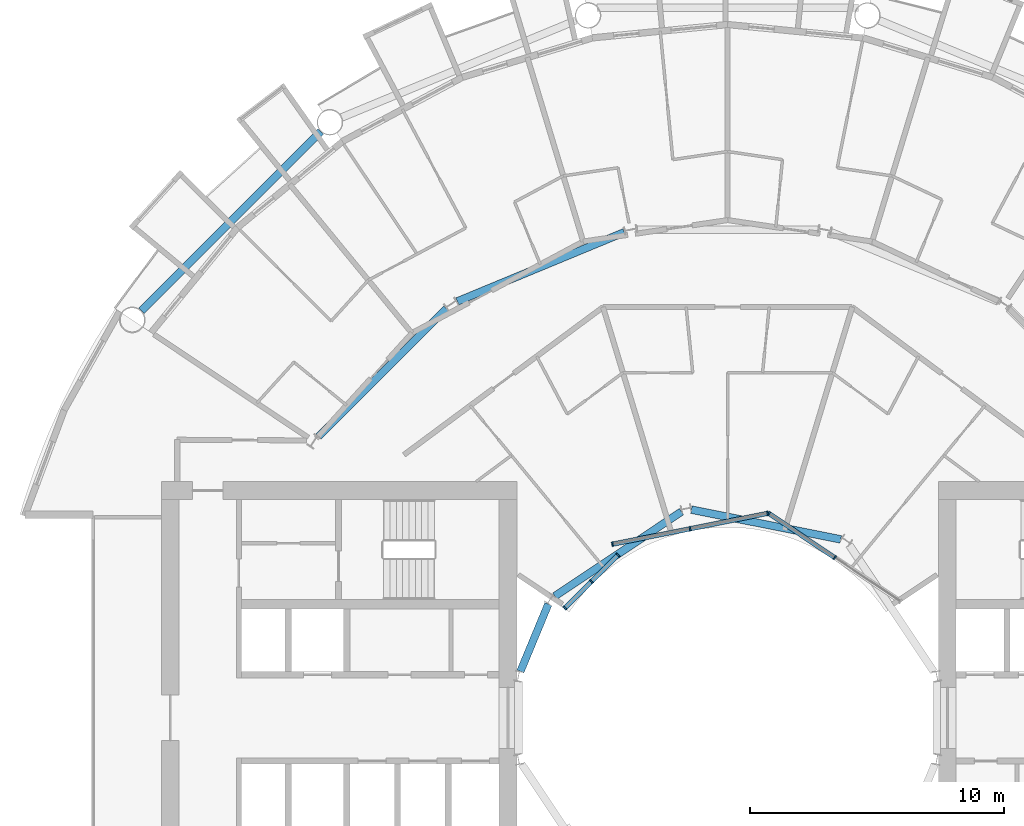
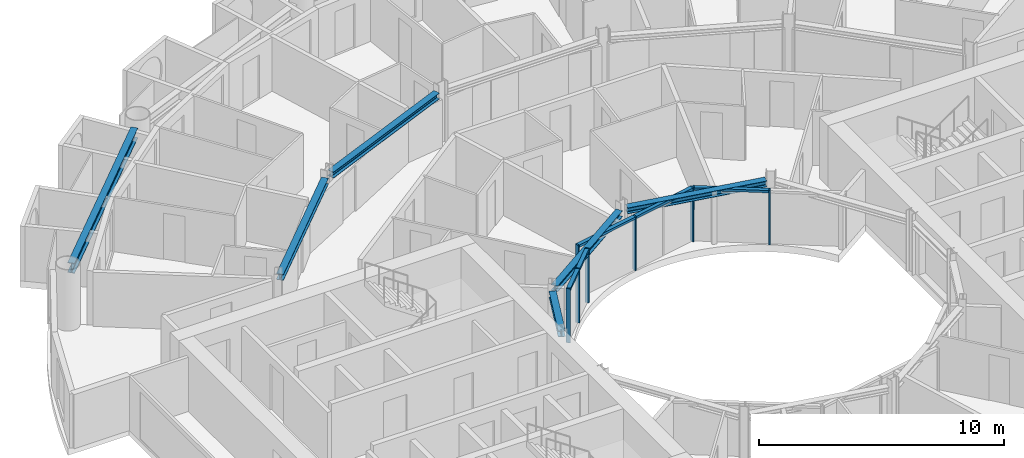
# One storey, part 7 of 26: 13 members, 6 beams, 3 elements without a shape of their own.
"""IFC4 building model written with IfcOpenShell, lengths in metres."""

from ifc_helpers import new_model, si_unit, direction, frame, origin, origin_2d, place, context, subcontext, project, spatial, rectangle, i_section, extrude, material, layer, layer_set, material_profile, profile_set, type_object, element, aggregate, save


model = new_model("IFC4")

# Units and contexts
model_context = context("Model", 3, precision=1e-05, world=origin(), true_north=direction((0.0, 1.0)))
body_context = subcontext(model_context, "Body", "Model", "MODEL_VIEW")
ifc_project = project(units=[si_unit("LENGTHUNIT", "METRE"), si_unit("AREAUNIT", "SQUARE_METRE"), si_unit("VOLUMEUNIT", "CUBIC_METRE"), si_unit("PLANEANGLEUNIT", "RADIAN"), si_unit("MASSUNIT", "GRAM", prefix="KILO")], contexts=[model_context])

# Site, building, storey
site_placement = place(None, origin())
site = spatial("IfcSite", under=ifc_project, at=site_placement, CompositionType="ELEMENT")
building_placement = place(site_placement, origin())
building = spatial("IfcBuilding", under=site, at=building_placement, Name="Maasbend Ring Residences", CompositionType="ELEMENT")
storey_placement = place(building_placement, frame((0.0, 0.0, 75.800048828125)))
storey = spatial("IfcBuildingStorey", under=building, at=storey_placement, Name="L21", CompositionType="ELEMENT", Elevation=75.800048828125)

# Curtain wall, members
ifc_material_1 = material(Name="Aluminium and clear glass", Category="aluminium")
ifc_layer = layer(ifc_material_1, 0.179931640625)
ifc_layer_set = layer_set([ifc_layer], Name="CW-W")
curtain_wall_type = type_object("IfcCurtainWallType", Name="CW-W", PredefinedType="NOTDEFINED", material=ifc_layer_set)
curtain_wall_1_placement = place(storey_placement, origin())
curtain_wall_1 = element("IfcCurtainWall", 1, at=curtain_wall_1_placement, inside=storey, type_object=curtain_wall_type, Name="Well curtain wall N1", PredefinedType="NOTDEFINED")
ifc_material_2 = material(Name="Aluminium 6063-T6", Category="aluminium")
ifc_material_profile_1 = material_profile(ifc_material_2, rectangle(XDim=0.179931640625, YDim=0.06005859375, at=origin_2d()), Name="AL 180x60")
ifc_profile_set_1 = profile_set([ifc_material_profile_1], Name="Aluminium 6063-T6")
member_type_1 = type_object("IfcMemberType", Name="CWM-W", PredefinedType="MULLION", material=ifc_profile_set_1)
member_1_placement = place(storey_placement, frame((4.216796875, 6.310791015625, 0.0), z_axis=(0.0, 0.0, 1.0), x_axis=(-0.55557023302, -0.831469612303, 0.0)))
member_1 = element("IfcMember", 2, at=member_1_placement, type_object=member_type_1, Name="Mullion well face", PredefinedType="MULLION", context=body_context, shape_type="SweptSolid", body=[
    extrude(rectangle(XDim=0.179931640625, YDim=0.06005859375, at=origin_2d()), origin(), (0.0, 0.0, 1.0), 2.699951171875),
])
member_2_placement = place(storey_placement, frame((1.627685546875, 8.040771484375, 0.0), z_axis=(0.0, 0.0, 1.0), x_axis=(-0.55557023302, -0.831469612303, 0.0)))
member_2 = element("IfcMember", 3, at=member_2_placement, type_object=member_type_1, Name="Mullion well face", PredefinedType="MULLION", context=body_context, shape_type="SweptSolid", body=[
    extrude(rectangle(XDim=0.179931640625, YDim=0.06005859375, at=origin_2d()), origin(), (0.0, 0.0, 1.0), 2.699951171875),
])

curtain_wall_2_placement = place(storey_placement, origin())
curtain_wall_2 = element("IfcCurtainWall", 4, at=curtain_wall_2_placement, inside=storey, type_object=curtain_wall_type, Name="Well curtain wall N2", PredefinedType="NOTDEFINED")
member_3_placement = place(storey_placement, frame((1.5732421875, 8.0517578125, 0.0), z_axis=(0.0, 0.0, 1.0), x_axis=(0.195090322016, -0.980785280403, 0.0)))
member_3 = element("IfcMember", 5, at=member_3_placement, type_object=member_type_1, Name="Mullion well face", PredefinedType="MULLION", context=body_context, shape_type="SweptSolid", body=[
    extrude(rectangle(XDim=0.179931640625, YDim=0.06005859375, at=origin_2d()), origin(), (0.0, 0.0, 1.0), 2.699951171875),
])
member_4_placement = place(storey_placement, frame((-1.480712890625, 7.444091796875, 0.0), z_axis=(0.0, 0.0, 1.0), x_axis=(0.195090322016, -0.980785280403, 0.0)))
member_4 = element("IfcMember", 6, at=member_4_placement, type_object=member_type_1, Name="Mullion well face", PredefinedType="MULLION", context=body_context, shape_type="SweptSolid", body=[
    extrude(rectangle(XDim=0.179931640625, YDim=0.06005859375, at=origin_2d()), origin(), (0.0, 0.0, 1.0), 2.699951171875),
])
member_5_placement = place(storey_placement, frame((-4.53466796875, 6.836669921875, 0.0), z_axis=(0.0, 0.0, 1.0), x_axis=(0.195090322016, -0.980785280403, 0.0)))
member_5 = element("IfcMember", 7, at=member_5_placement, type_object=member_type_1, Name="Mullion well face", PredefinedType="MULLION", context=body_context, shape_type="SweptSolid", body=[
    extrude(rectangle(XDim=0.179931640625, YDim=0.06005859375, at=origin_2d()), origin(), (0.0, 0.0, 1.0), 2.699951171875),
])

curtain_wall_3_placement = place(storey_placement, origin())
curtain_wall_3 = element("IfcCurtainWall", 8, at=curtain_wall_3_placement, inside=storey, type_object=curtain_wall_type, Name="Well curtain wall N3", PredefinedType="NOTDEFINED")
member_6_placement = place(storey_placement, frame((-4.320556640625, 6.413330078125, 0.0), z_axis=(0.0, 0.0, 1.0), x_axis=(0.707106781187, -0.707106781187, 0.0)))
member_6 = element("IfcMember", 9, at=member_6_placement, type_object=member_type_1, Name="Mullion well face", PredefinedType="MULLION", context=body_context, shape_type="SweptSolid", body=[
    extrude(rectangle(XDim=0.179931640625, YDim=0.06005859375, at=origin_2d()), origin(), (0.0, 0.0, 1.0), 2.699951171875),
])
member_7_placement = place(storey_placement, frame((-5.366943359375, 5.366943359375, 0.0), z_axis=(0.0, 0.0, 1.0), x_axis=(0.707106781187, -0.707106781187, 0.0)))
member_7 = element("IfcMember", 10, at=member_7_placement, type_object=member_type_1, Name="Mullion well face", PredefinedType="MULLION", context=body_context, shape_type="SweptSolid", body=[
    extrude(rectangle(XDim=0.179931640625, YDim=0.06005859375, at=origin_2d()), origin(), (0.0, 0.0, 1.0), 2.699951171875),
])
member_8_placement = place(storey_placement, frame((-6.413330078125, 4.320556640625, 0.0), z_axis=(0.0, 0.0, 1.0), x_axis=(0.707106781187, -0.707106781187, 0.0)))
member_8 = element("IfcMember", 11, at=member_8_placement, type_object=member_type_1, Name="Mullion well face", PredefinedType="MULLION", context=body_context, shape_type="SweptSolid", body=[
    extrude(rectangle(XDim=0.179931640625, YDim=0.06005859375, at=origin_2d()), origin(), (0.0, 0.0, 1.0), 2.699951171875),
])

# Member
ifc_material_3 = material(Name="Aluminium 6063-T6", Category="aluminium")
ifc_material_profile_2 = material_profile(ifc_material_3, rectangle(XDim=0.179931640625, YDim=0.1201171875, at=origin_2d()), Name="AL 180x120")
ifc_profile_set_2 = profile_set([ifc_material_profile_2], Name="Aluminium 6063-T6")
member_type_2 = type_object("IfcMemberType", Name="CWT-W", PredefinedType="USERDEFINED", material=ifc_profile_set_2)
member_9_placement = place(storey_placement, frame((4.19189453125, 6.32763671875, 2.639892578125), z_axis=(-0.831496422459, 0.555530106689, 0.0), x_axis=(-0.555530106689, -0.831496422459, 0.0)))
member_9 = element("IfcMember", 12, at=member_9_placement, type_object=member_type_2, Name="Transom well face", ObjectType="TRANSOM", PredefinedType="USERDEFINED", context=body_context, shape_type="SweptSolid", body=[
    extrude(rectangle(XDim=0.179931640625, YDim=0.1201171875, at=origin_2d()), origin(), (0.0, 0.0, 1.0), 3.053955078125),
])

aggregate(curtain_wall_1, [member_1, member_2, member_9])

member_10_placement = place(storey_placement, frame((1.5439453125, 8.0458984375, 2.639892578125), z_axis=(-0.980776956105, -0.195132166424, 0.0), x_axis=(0.195132166424, -0.980776956105, 0.0)))
member_10 = element("IfcMember", 13, at=member_10_placement, type_object=member_type_2, Name="Transom well face", ObjectType="TRANSOM", PredefinedType="USERDEFINED", context=body_context, shape_type="SweptSolid", body=[
    extrude(rectangle(XDim=0.179931640625, YDim=0.1201171875, at=origin_2d()), origin(), (0.0, 0.0, 1.0), 3.053955078125),
])

member_11_placement = place(storey_placement, frame((-1.51025390625, 7.438232421875, 2.639892578125), z_axis=(-0.980789210404, -0.19507056353, 0.0), x_axis=(0.19507056353, -0.980789210404, 0.0)))
member_11 = element("IfcMember", 14, at=member_11_placement, type_object=member_type_2, Name="Transom well face", ObjectType="TRANSOM", PredefinedType="USERDEFINED", context=body_context, shape_type="SweptSolid", body=[
    extrude(rectangle(XDim=0.179931640625, YDim=0.1201171875, at=origin_2d()), origin(), (0.0, 0.0, 1.0), 3.0537109375),
])

aggregate(curtain_wall_2, [member_3, member_4, member_5, member_10, member_11])

member_12_placement = place(storey_placement, frame((-4.341796875, 6.39208984375, 2.639892578125), z_axis=(-0.707106781187, -0.707106781187, 0.0), x_axis=(0.707106781187, -0.707106781187, 0.0)))
member_12 = element("IfcMember", 15, at=member_12_placement, type_object=member_type_2, Name="Transom well face", ObjectType="TRANSOM", PredefinedType="USERDEFINED", context=body_context, shape_type="SweptSolid", body=[
    extrude(rectangle(XDim=0.179931640625, YDim=0.1201171875, at=origin_2d()), origin(), (0.0, 0.0, 1.0), 1.419677734375),
])

member_13_placement = place(storey_placement, frame((-5.38818359375, 5.345703125, 2.639892578125), z_axis=(-0.707106781187, -0.707106781187, 0.0), x_axis=(0.707106781187, -0.707106781187, 0.0)))
member_13 = element("IfcMember", 16, at=member_13_placement, type_object=member_type_2, Name="Transom well face", ObjectType="TRANSOM", PredefinedType="USERDEFINED", context=body_context, shape_type="SweptSolid", body=[
    extrude(rectangle(XDim=0.179931640625, YDim=0.1201171875, at=origin_2d()), origin(), (0.0, 0.0, 1.0), 1.419677734375),
])

aggregate(curtain_wall_3, [member_6, member_7, member_8, member_12, member_13])

# Beams
ifc_material_4 = material(Name="Steel S355J2", Category="steel")
ifc_material_profile_3 = material_profile(ifc_material_4, i_section(OverallWidth=0.300048828125, OverallDepth=0.300048828125, WebThickness=0.010986328125, FlangeThickness=0.01904296875, FilletRadius=0.027099609375, at=origin_2d()), Name="HEB 300")
ifc_profile_set_3 = profile_set([ifc_material_profile_3], Name="Steel S355J2")
beam_type_1 = type_object("IfcBeamType", Name="Corridor ring beam HEB 300", PredefinedType="BEAM", material=ifc_profile_set_3)
for number, where, z_axis, x_axis, name in (
    (17, (-4.070556640625, 19.12109375, 2.550048828125), (-0.923877113721, -0.382689271788, 0.0), (0.382689271788, -0.923877113721, 0.0), "Corridor ring beam"),
    (18, (-11.078125, 16.10791015625, 2.550048828125), (-0.707106781187, -0.707106781187, 0.0), (0.707106781187, -0.707106781187, 0.0), "Corridor ring beam"),
):
    element("IfcBeam", number, at=place(storey_placement, frame(where, z_axis=z_axis, x_axis=x_axis)), inside=storey, type_object=beam_type_1, Name=name, PredefinedType="BEAM", context=body_context, shape_type="SweptSolid", body=[
        extrude(i_section(OverallWidth=0.300048828125, OverallDepth=0.300048828125, WebThickness=0.010986328125, FlangeThickness=0.01904296875, FilletRadius=0.027099609375, at=origin_2d()), origin(), (0.0, 0.0, 1.0), 7.11328125),
    ])
ifc_material_5 = material(Name="Steel S355J2", Category="steel")
ifc_material_profile_4 = material_profile(ifc_material_5, i_section(OverallWidth=0.300048828125, OverallDepth=0.5, WebThickness=0.014404296875, FlangeThickness=0.028076171875, FilletRadius=0.027099609375, at=origin_2d()), Name="HEB 500")
ifc_profile_set_4 = profile_set([ifc_material_profile_4], Name="Steel S355J2")
beam_type_2 = type_object("IfcBeamType", Name="Spandrel ring beam HEB 500", PredefinedType="SPANDREL", material=ifc_profile_set_4)
beam_1_placement = place(storey_placement, frame((-16.0263671875, 23.088134765625, 2.449951171875), z_axis=(-0.707106781187, -0.707106781187, 0.0), x_axis=(0.707106781187, -0.707106781187, 0.0)))
element("IfcBeam", 19, at=beam_1_placement, inside=storey, type_object=beam_type_2, Name="Spandrel ring beam", PredefinedType="SPANDREL", context=body_context, shape_type="SweptSolid", body=[
    extrude(i_section(OverallWidth=0.300048828125, OverallDepth=0.5, WebThickness=0.014404296875, FlangeThickness=0.028076171875, FilletRadius=0.027099609375, at=origin_2d()), origin(), (0.0, 0.0, 1.0), 9.98681640625),
])
ifc_material_6 = material(Name="Steel S355J2", Category="steel")
ifc_material_profile_5 = material_profile(ifc_material_6, i_section(OverallWidth=0.300048828125, OverallDepth=0.300048828125, WebThickness=0.010986328125, FlangeThickness=0.01904296875, FilletRadius=0.027099609375, at=origin_2d()), Name="HEB 300")
ifc_profile_set_5 = profile_set([ifc_material_profile_5], Name="Steel S355J2")
beam_type_3 = type_object("IfcBeamType", Name="Well edge beam HEB 300", PredefinedType="BEAM", material=ifc_profile_set_5)
beam_2_placement = place(storey_placement, frame((4.45458984375, 7.026611328125, 2.550048828125), z_axis=(-0.980789954577, 0.195066821885, 0.0), x_axis=(-0.195066821885, -0.980789954577, 0.0)))
element("IfcBeam", 20, at=beam_2_placement, inside=storey, type_object=beam_type_3, Name="Well edge beam", PredefinedType="BEAM", context=body_context, shape_type="SweptSolid", body=[
    extrude(i_section(OverallWidth=0.300048828125, OverallDepth=0.300048828125, WebThickness=0.010986328125, FlangeThickness=0.01904296875, FilletRadius=0.027099609375, at=origin_2d()), origin(), (0.0, 0.0, 1.0), 5.996337890625),
])
beam_3_placement = place(storey_placement, frame((-1.81884765625, 8.118408203125, 2.550048828125), z_axis=(-0.83145471117, -0.555592533493, 0.0), x_axis=(0.555592533493, -0.83145471117, 0.0)))
element("IfcBeam", 21, at=beam_3_placement, inside=storey, type_object=beam_type_3, Name="Well edge beam", PredefinedType="BEAM", context=body_context, shape_type="SweptSolid", body=[
    extrude(i_section(OverallWidth=0.300048828125, OverallDepth=0.300048828125, WebThickness=0.010986328125, FlangeThickness=0.01904296875, FilletRadius=0.027099609375, at=origin_2d()), origin(), (0.0, 0.0, 1.0), 5.995849609375),
])
beam_4_placement = place(storey_placement, frame((-7.062255859375, 4.478515625, 2.550048828125), z_axis=(-0.382729955172, -0.923860260761, 0.0), x_axis=(0.923860260761, -0.382729955172, 0.0)))
element("IfcBeam", 22, at=beam_4_placement, inside=storey, type_object=beam_type_3, Name="Well edge beam", PredefinedType="BEAM", context=body_context, shape_type="SweptSolid", body=[
    extrude(i_section(OverallWidth=0.300048828125, OverallDepth=0.300048828125, WebThickness=0.010986328125, FlangeThickness=0.01904296875, FilletRadius=0.027099609375, at=origin_2d()), origin(), (0.0, 0.0, 1.0), 2.869873046875),
])

save(model, "model.ifc")
